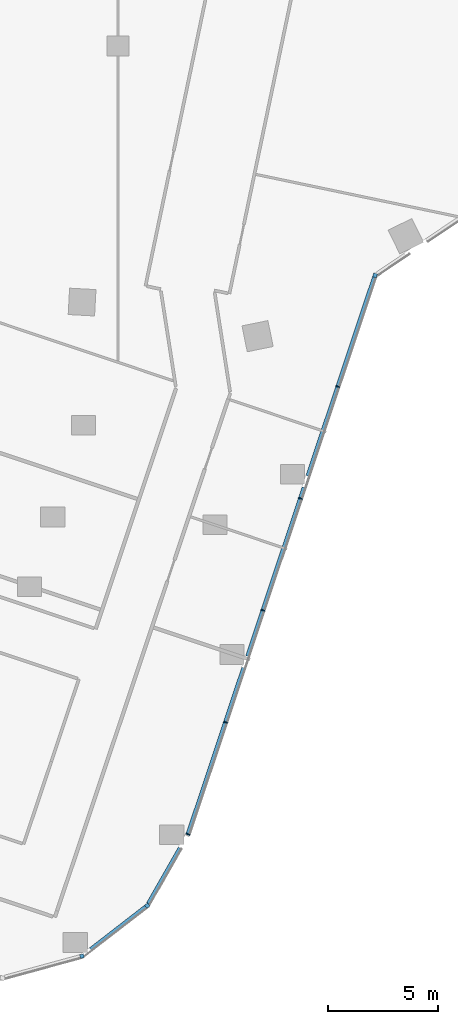
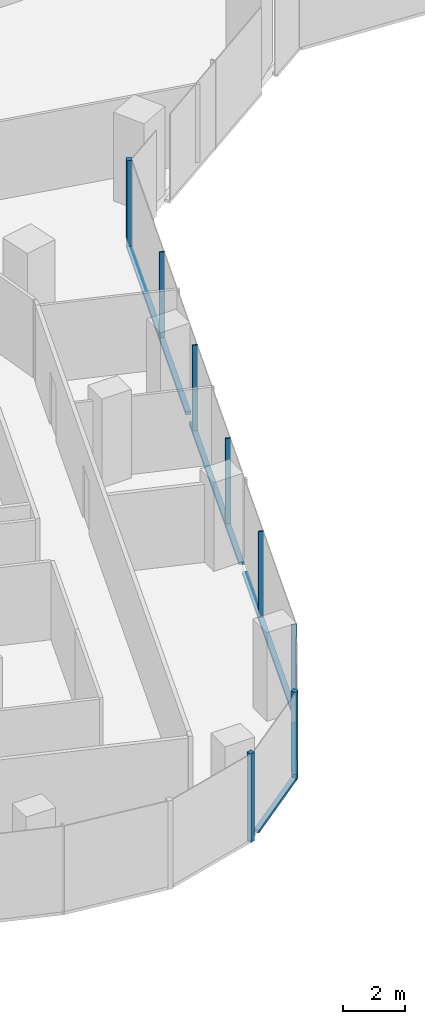
# One storey, part 5 of 32: 13 members, 4 elements without a shape of their own.
"""IFC4 building model written with IfcOpenShell, lengths in metres."""

from ifc_helpers import new_model, si_unit, direction, frame, origin, origin_2d, place, context, subcontext, project, spatial, rectangle, extrude, material, material_profile, profile_set, type_object, element, aggregate, save


model = new_model("IFC4")

# Units and contexts
model_context = context("Model", 3, precision=1e-05, world=origin(), true_north=direction((0.0, 1.0)))
body_context = subcontext(model_context, "Body", "Model", "MODEL_VIEW")
ifc_project = project(units=[si_unit("LENGTHUNIT", "METRE"), si_unit("AREAUNIT", "SQUARE_METRE"), si_unit("VOLUMEUNIT", "CUBIC_METRE"), si_unit("PLANEANGLEUNIT", "RADIAN"), si_unit("MASSUNIT", "GRAM", prefix="KILO")], contexts=[model_context])

# Site, building, storey
site_placement = place(None, origin())
site = spatial("IfcSite", under=ifc_project, at=site_placement, CompositionType="ELEMENT")
building_placement = place(site_placement, origin())
building = spatial("IfcBuilding", under=site, at=building_placement, Name="Orlundy Tower", CompositionType="ELEMENT")
storey_placement = place(building_placement, frame((0.0, 0.0, 152.60009765625)))
storey = spatial("IfcBuildingStorey", under=building, at=storey_placement, Name="L39", CompositionType="ELEMENT", Elevation=152.60009765625)

# Curtain wall, member
ifc_material_1 = material(Name="Aluminium bronze anodised", Category="aluminium")
curtain_wall_type = type_object("IfcCurtainWallType", Name="CW1 wall", PredefinedType="NOTDEFINED", material=ifc_material_1)
curtain_wall_1_placement = place(storey_placement, origin())
curtain_wall_1 = element("IfcCurtainWall", 1, at=curtain_wall_1_placement, inside=storey, type_object=curtain_wall_type, Name="CW1 run 02", PredefinedType="NOTDEFINED")
ifc_material_2 = material(Name="Aluminium bronze anodised", Category="aluminium")
ifc_material_profile_1 = material_profile(ifc_material_2, rectangle(XDim=0.179931640625, YDim=0.179931640625, at=origin_2d()), Name="CW1 corner post 180x180")
ifc_profile_set_1 = profile_set([ifc_material_profile_1], Name="Aluminium bronze anodised")
member_type_1 = type_object("IfcMemberType", Name="CW1 corner post 180x180", PredefinedType="MULLION", material=ifc_profile_set_1)
member_1_placement = place(storey_placement, frame((11.675537109375, -28.41943359375, -0.400146484375), z_axis=(0.0, 0.0, 1.0), x_axis=(0.948320522025, -0.317314020344, 0.0)))
member_1 = element("IfcMember", 2, at=member_1_placement, type_object=member_type_1, Name="CW1 mullion 9", PredefinedType="MULLION", context=body_context, shape_type="SweptSolid", body=[
    extrude(rectangle(XDim=0.179931640625, YDim=0.179931640625, at=origin_2d()), origin(), (0.0, 0.0, 1.0), 3.5),
])

curtain_wall_2_placement = place(storey_placement, origin())
curtain_wall_2 = element("IfcCurtainWall", 3, at=curtain_wall_2_placement, inside=storey, type_object=curtain_wall_type, Name="CW1 run 04", PredefinedType="NOTDEFINED")
member_2_placement = place(storey_placement, frame((1.331298828125, -57.040283203125, -0.400146484375), z_axis=(0.0, 0.0, 1.0), x_axis=(0.61231463548, -0.790614183516, 0.0)))
member_2 = element("IfcMember", 4, at=member_2_placement, type_object=member_type_1, Name="CW1 mullion 15", PredefinedType="MULLION", context=body_context, shape_type="SweptSolid", body=[
    extrude(rectangle(XDim=0.179931640625, YDim=0.179931640625, at=origin_2d()), origin(), (0.0, 0.0, 1.0), 3.5),
])

curtain_wall_3_placement = place(storey_placement, origin())
curtain_wall_3 = element("IfcCurtainWall", 5, at=curtain_wall_3_placement, inside=storey, type_object=curtain_wall_type, Name="CW1 run 05", PredefinedType="NOTDEFINED")
member_3_placement = place(storey_placement, frame((-1.6279296875, -59.33203125, -0.400146484375), z_axis=(0.0, 0.0, 1.0), x_axis=(0.263048919026, -0.964782496835, 0.0)))
member_3 = element("IfcMember", 6, at=member_3_placement, type_object=member_type_1, Name="CW1 mullion 16", PredefinedType="MULLION", context=body_context, shape_type="SweptSolid", body=[
    extrude(rectangle(XDim=0.179931640625, YDim=0.179931640625, at=origin_2d()), origin(), (0.0, 0.0, 1.0), 3.5),
])
aggregate(curtain_wall_3, [member_3])

# Member
ifc_material_3 = material(Name="Aluminium bronze anodised", Category="aluminium")
ifc_material_profile_2 = material_profile(ifc_material_3, rectangle(XDim=0.179931640625, YDim=0.050048828125, at=origin_2d()), Name="CW1 mullion 50x180")
ifc_profile_set_2 = profile_set([ifc_material_profile_2], Name="Aluminium bronze anodised")
member_type_2 = type_object("IfcMemberType", Name="CW1 mullion 50x180", PredefinedType="MULLION", material=ifc_profile_set_2)
member_4_placement = place(storey_placement, frame((9.985595703125, -33.470458984375, -0.400146484375), z_axis=(0.0, 0.0, 1.0), x_axis=(0.948320522025, -0.317314020344, 0.0)))
member_4 = element("IfcMember", 7, at=member_4_placement, type_object=member_type_2, Name="CW1 mullion 10", PredefinedType="MULLION", context=body_context, shape_type="SweptSolid", body=[
    extrude(rectangle(XDim=0.179931640625, YDim=0.050048828125, at=origin_2d()), origin(), (0.0, 0.0, 1.0), 3.5),
])

member_5_placement = place(storey_placement, frame((8.28564453125, -38.550537109375, -0.400146484375), z_axis=(0.0, 0.0, 1.0), x_axis=(0.948320522025, -0.317314020344, 0.0)))
member_5 = element("IfcMember", 8, at=member_5_placement, type_object=member_type_2, Name="CW1 mullion 11", PredefinedType="MULLION", context=body_context, shape_type="SweptSolid", body=[
    extrude(rectangle(XDim=0.179931640625, YDim=0.050048828125, at=origin_2d()), origin(), (0.0, 0.0, 1.0), 3.5),
])

member_6_placement = place(storey_placement, frame((6.5859375, -43.630615234375, -0.400146484375), z_axis=(0.0, 0.0, 1.0), x_axis=(0.948320522025, -0.317314020344, 0.0)))
member_6 = element("IfcMember", 9, at=member_6_placement, type_object=member_type_2, Name="CW1 mullion 12", PredefinedType="MULLION", context=body_context, shape_type="SweptSolid", body=[
    extrude(rectangle(XDim=0.179931640625, YDim=0.050048828125, at=origin_2d()), origin(), (0.0, 0.0, 1.0), 3.5),
])

member_7_placement = place(storey_placement, frame((4.88623046875, -48.71044921875, -0.400146484375), z_axis=(0.0, 0.0, 1.0), x_axis=(0.948320522025, -0.317314020344, 0.0)))
member_7 = element("IfcMember", 10, at=member_7_placement, type_object=member_type_2, Name="CW1 mullion 13", PredefinedType="MULLION", context=body_context, shape_type="SweptSolid", body=[
    extrude(rectangle(XDim=0.179931640625, YDim=0.050048828125, at=origin_2d()), origin(), (0.0, 0.0, 1.0), 3.5),
])

# Curtain wall, member
curtain_wall_4_placement = place(storey_placement, origin())
curtain_wall_4 = element("IfcCurtainWall", 11, at=curtain_wall_4_placement, inside=storey, type_object=curtain_wall_type, Name="CW1 run 03", PredefinedType="NOTDEFINED")
member_8_placement = place(storey_placement, frame((3.18359375, -53.799072265625, -0.400146484375), z_axis=(0.0, 0.0, 1.0), x_axis=(0.912665322896, -0.408707729781, 0.0)))
member_8 = element("IfcMember", 12, at=member_8_placement, type_object=member_type_2, Name="CW1 mullion 14", PredefinedType="MULLION", context=body_context, shape_type="SweptSolid", body=[
    extrude(rectangle(XDim=0.179931640625, YDim=0.050048828125, at=origin_2d()), origin(), (0.0, 0.0, 1.0), 3.5),
])

# Member
ifc_material_4 = material(Name="Aluminium bronze anodised", Category="aluminium")
ifc_material_profile_3 = material_profile(ifc_material_4, rectangle(XDim=0.179931640625, YDim=0.1201171875, at=origin_2d()), Name="CW1 transom 180x120")
ifc_profile_set_3 = profile_set([ifc_material_profile_3], Name="Aluminium bronze anodised")
member_type_3 = type_object("IfcMemberType", Name="CW1 transom 180x120", PredefinedType="USERDEFINED", material=ifc_profile_set_3)
member_9_placement = place(storey_placement, frame((11.647216796875, -28.5048828125, -0.340087890625), z_axis=(-0.317327622506, -0.948315970547, 0.0), x_axis=(0.948315970547, -0.317327622506, 0.0)))
member_9 = element("IfcMember", 13, at=member_9_placement, type_object=member_type_3, Name="CW1 transom", ObjectType="TRANSOM", PredefinedType="USERDEFINED", context=body_context, shape_type="SweptSolid", body=[
    extrude(rectangle(XDim=0.179931640625, YDim=0.1201171875, at=origin_2d()), origin(), (0.0, 0.0, 1.0), 9.52099609375),
])

member_10_placement = place(storey_placement, frame((8.453125, -38.050048828125, -0.340087890625), z_axis=(-0.317305270862, -0.948323449611, 0.0), x_axis=(0.948323449611, -0.317305270862, 0.0)))
member_10 = element("IfcMember", 14, at=member_10_placement, type_object=member_type_3, Name="CW1 transom", ObjectType="TRANSOM", PredefinedType="USERDEFINED", context=body_context, shape_type="SweptSolid", body=[
    extrude(rectangle(XDim=0.179931640625, YDim=0.1201171875, at=origin_2d()), origin(), (0.0, 0.0, 1.0), 8.08740234375),
])

member_11_placement = place(storey_placement, frame((5.71337890625, -46.238037109375, -0.340087890625), z_axis=(-0.317314968724, -0.94832020469, 0.0), x_axis=(0.94832020469, -0.317314968724, 0.0)))
member_11 = element("IfcMember", 15, at=member_11_placement, type_object=member_type_3, Name="CW1 transom", ObjectType="TRANSOM", PredefinedType="USERDEFINED", context=body_context, shape_type="SweptSolid", body=[
    extrude(rectangle(XDim=0.179931640625, YDim=0.1201171875, at=origin_2d()), origin(), (0.0, 0.0, 1.0), 7.94775390625),
])

aggregate(curtain_wall_1, [member_1, member_4, member_5, member_6, member_7, member_9, member_10, member_11])

member_12_placement = place(storey_placement, frame((2.826904296875, -54.423095703125, -0.340087890625), z_axis=(-0.496174993415, -0.868222538241, 0.0), x_axis=(0.868222538241, -0.496174993415, 0.0)))
member_12 = element("IfcMember", 16, at=member_12_placement, type_object=member_type_3, Name="CW1 transom", ObjectType="TRANSOM", PredefinedType="USERDEFINED", context=body_context, shape_type="SweptSolid", body=[
    extrude(rectangle(XDim=0.179931640625, YDim=0.1201171875, at=origin_2d()), origin(), (0.0, 0.0, 1.0), 2.916748046875),
])

aggregate(curtain_wall_4, [member_8, member_12])

member_13_placement = place(storey_placement, frame((1.260009765625, -57.09521484375, -0.340087890625), z_axis=(-0.790590921705, -0.612344669706, 0.0), x_axis=(0.612344669706, -0.790590921705, 0.0)))
member_13 = element("IfcMember", 17, at=member_13_placement, type_object=member_type_3, Name="CW1 transom", ObjectType="TRANSOM", PredefinedType="USERDEFINED", context=body_context, shape_type="SweptSolid", body=[
    extrude(rectangle(XDim=0.179931640625, YDim=0.1201171875, at=origin_2d()), origin(), (0.0, 0.0, 1.0), 3.158447265625),
])

aggregate(curtain_wall_2, [member_2, member_13])

save(model, "model.ifc")
